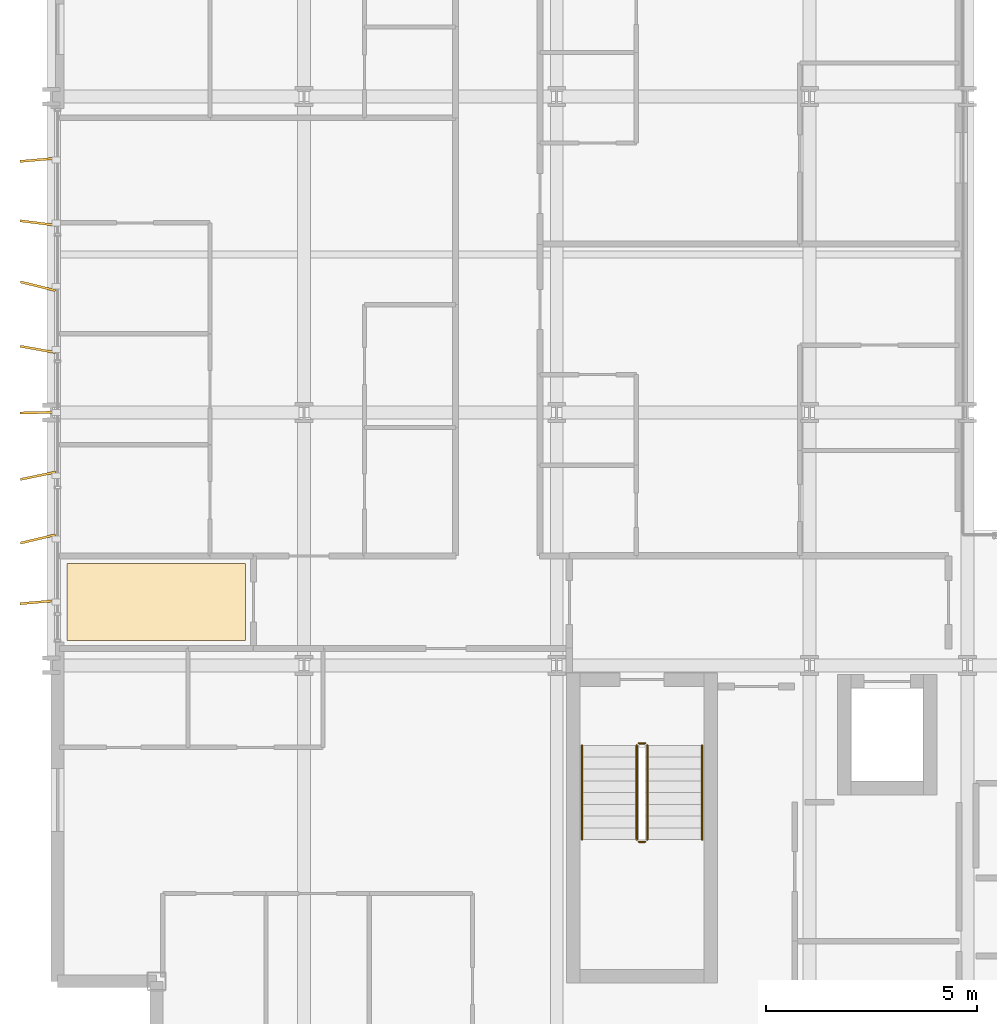
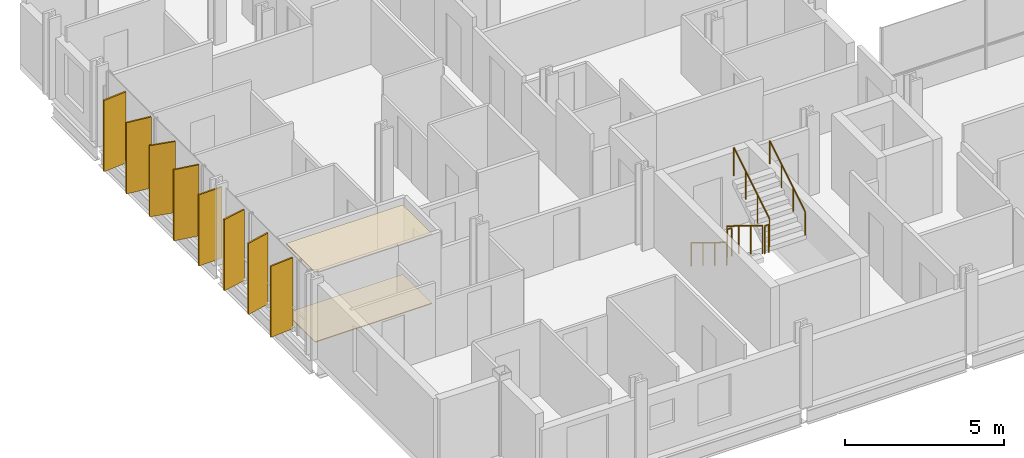
# One storey, part 36 of 39: 8 shading devices, 6 railings, 2 coverings.
"""IFC4 building model written with IfcOpenShell, lengths in metres."""

from ifc_helpers import new_model, si_unit, direction, frame, origin, origin_2d, place, context, subcontext, project, spatial, polyline, rectangle, circle, outline, extrude, material, layer, layer_set, type_object, element, save


model = new_model("IFC4")

# Units and contexts
model_context = context("Model", 3, precision=1e-05, world=origin(), true_north=direction((0.0, 1.0)))
body_context = subcontext(model_context, "Body", "Model", "MODEL_VIEW")
ifc_project = project(units=[si_unit("LENGTHUNIT", "METRE"), si_unit("AREAUNIT", "SQUARE_METRE"), si_unit("VOLUMEUNIT", "CUBIC_METRE"), si_unit("PLANEANGLEUNIT", "RADIAN"), si_unit("MASSUNIT", "GRAM", prefix="KILO")], contexts=[model_context])

# Site, building, storey
site_placement = place(None, origin())
site = spatial("IfcSite", under=ifc_project, at=site_placement, CompositionType="ELEMENT")
building_placement = place(site_placement, origin())
building = spatial("IfcBuilding", under=site, at=building_placement, Name="Brevholm Reach", CompositionType="ELEMENT")
storey_placement = place(building_placement, frame((0.0, 0.0, 40.39990234375)))
storey = spatial("IfcBuildingStorey", under=building, at=storey_placement, Name="L10", CompositionType="ELEMENT", Elevation=40.39990234375)

# Coverings
ifc_material_1 = material(Name="Moisture-Resistant Skimmed Gypsum Plasterboard Ceiling", Category="gypsum")
ifc_layer_1 = layer(ifc_material_1, 0.030029296875)
ifc_layer_set_1 = layer_set([ifc_layer_1], Name="Moisture-Resistant Skimmed Gypsum Plasterboard Ceiling")
covering_type_1 = type_object("IfcCoveringType", Name="COV-CLG-GYP", PredefinedType="CEILING", material=ifc_layer_set_1)
covering_1_placement = place(storey_placement, frame((0.0, 0.0, 2.670166015625)))
element("IfcCovering", 1, at=covering_1_placement, inside=storey, type_object=covering_type_1, Name="L10 Suspended Ceiling L10-34", PredefinedType="CEILING", context=body_context, shape_type="SweptSolid", body=[
    extrude(outline(polyline([(0.3798828125, 12.419921875), (4.615966796875, 12.419921875), (4.615966796875, 10.583984375), (0.3798828125, 10.583984375), (0.3798828125, 12.419921875)])), origin(), (0.0, 0.0, 1.0), 0.030029296875),
])
ifc_material_2 = material(Name="Honed Portland-Aggregate Resin Terrazzo Flooring", Category="concrete")
ifc_layer_2 = layer(ifc_material_2, 0.031982421875)
ifc_layer_set_2 = layer_set([ifc_layer_2], Name="Honed Portland-Aggregate Resin Terrazzo Flooring")
covering_type_2 = type_object("IfcCoveringType", Name="COV-FLR-TRZ", PredefinedType="FLOORING", material=ifc_layer_set_2)
covering_2_placement = place(storey_placement, origin())
element("IfcCovering", 2, at=covering_2_placement, inside=storey, type_object=covering_type_2, Name="L10 Floor Finish L10-34", PredefinedType="FLOORING", context=body_context, shape_type="SweptSolid", body=[
    extrude(outline(polyline([(0.3798828125, 12.419921875), (4.615966796875, 12.419921875), (4.615966796875, 10.583984375), (0.3798828125, 10.583984375), (0.3798828125, 12.419921875)])), origin(), (0.0, 0.0, 1.0), 0.031982421875),
])

# Railings
ifc_material_3 = material(Name="Brushed Stainless Steel EN 1.4401 Continuous Handrail", Category="steel")
railing_type_1 = type_object("IfcRailingType", Name="RAL-HND-950", PredefinedType="HANDRAIL", material=ifc_material_3)
railing_1_placement = place(storey_placement, frame((12.60009765625, 8.10009765625, 0.17236328125)))
element("IfcRailing", 3, at=railing_1_placement, inside=storey, type_object=railing_type_1, Name="L10 ST-1 stair handrail 1", PredefinedType="HANDRAIL", context=body_context, shape_type="SweptSolid", body=[
    extrude(circle(Radius=0.02392578125, at=origin_2d()), frame((0.0, 0.0, 0.8857421875), z_axis=(0.0, -0.85178898068, 0.523885037382), x_axis=(1.0, 0.0, 0.0)), (0.0, 0.0, 1.0), 2.629638671875),
    extrude(circle(Radius=0.02099609375, at=origin_2d()), origin(), (0.0, 0.0, 1.0), 0.86181640625),
    extrude(circle(Radius=0.02099609375, at=origin_2d()), frame((0.0, -0.74658203125, 0.459228515625)), (0.0, 0.0, 1.0), 0.86181640625),
    extrude(circle(Radius=0.02099609375, at=origin_2d()), frame((0.0, -1.493408203125, 0.91845703125)), (0.0, 0.0, 1.0), 0.86181640625),
    extrude(circle(Radius=0.02099609375, at=origin_2d()), frame((0.0, -2.239990234375, 1.377685546875)), (0.0, 0.0, 1.0), 0.86181640625),
])
railing_2_placement = place(storey_placement, frame((15.449951171875, 5.860107421875, 1.722412109375)))
element("IfcRailing", 4, at=railing_2_placement, inside=storey, type_object=railing_type_1, Name="L10 ST-1 stair handrail 2", PredefinedType="HANDRAIL", context=body_context, shape_type="SweptSolid", body=[
    extrude(circle(Radius=0.02392578125, at=origin_2d()), frame((0.0, 0.0, 0.8857421875), z_axis=(0.0, 0.85178898068, 0.523885037382), x_axis=(-1.0, 0.0, 0.0)), (0.0, 0.0, 1.0), 2.629638671875),
    extrude(circle(Radius=0.02099609375, at=origin_2d()), origin(), (0.0, 0.0, 1.0), 0.86181640625),
    extrude(circle(Radius=0.02099609375, at=origin_2d()), frame((0.0, 0.74658203125, 0.459228515625)), (0.0, 0.0, 1.0), 0.86181640625),
    extrude(circle(Radius=0.02099609375, at=origin_2d()), frame((0.0, 1.493408203125, 0.91845703125)), (0.0, 0.0, 1.0), 0.86181640625),
    extrude(circle(Radius=0.02099609375, at=origin_2d()), frame((0.0, 2.239990234375, 1.377685546875)), (0.0, 0.0, 1.0), 0.86181640625),
])
ifc_material_4 = material(Name="Painted Tubular Galvanised Steel S275JR Stair Guard", Category="steel")
railing_type_2 = type_object("IfcRailingType", Name="RAL-STG-1120", PredefinedType="BALUSTRADE", material=ifc_material_4)
railing_3_placement = place(storey_placement, frame((13.89990234375, 8.10009765625, 0.17236328125)))
element("IfcRailing", 5, at=railing_3_placement, inside=storey, type_object=railing_type_2, Name="L10 ST-1 stair guard 1", PredefinedType="BALUSTRADE", context=body_context, shape_type="SweptSolid", body=[
    extrude(circle(Radius=0.02392578125, at=origin_2d()), frame((0.0, 0.0, 1.076171875), z_axis=(0.0, -0.85178898068, 0.523885037382), x_axis=(1.0, 0.0, 0.0)), (0.0, 0.0, 1.0), 2.629638671875),
    extrude(circle(Radius=0.02099609375, at=origin_2d()), origin(), (0.0, 0.0, 1.0), 1.052001953125),
    extrude(circle(Radius=0.02099609375, at=origin_2d()), frame((0.0, -0.74658203125, 0.459228515625)), (0.0, 0.0, 1.0), 1.052001953125),
    extrude(circle(Radius=0.02099609375, at=origin_2d()), frame((0.0, -1.493408203125, 0.91845703125)), (0.0, 0.0, 1.0), 1.052001953125),
    extrude(circle(Radius=0.02099609375, at=origin_2d()), frame((0.0, -2.239990234375, 1.377685546875)), (0.0, 0.0, 1.0), 1.052001953125),
])
railing_4_placement = place(storey_placement, frame((13.949951171875, 5.81005859375, 1.550048828125)))
element("IfcRailing", 6, at=railing_4_placement, inside=storey, type_object=railing_type_2, Name="L10 ST-1 stair guard 2", PredefinedType="BALUSTRADE", context=body_context, shape_type="SweptSolid", body=[
    extrude(circle(Radius=0.02392578125, at=origin_2d()), frame((0.0, 0.0, 1.076171875), z_axis=(1.0, 0.0, 0.0), x_axis=(0.0, 1.0, 0.0)), (0.0, 0.0, 1.0), 0.150146484375),
    extrude(circle(Radius=0.02099609375, at=origin_2d()), origin(), (0.0, 0.0, 1.0), 1.052001953125),
    extrude(circle(Radius=0.02099609375, at=origin_2d()), frame((0.150146484375, 0.0, 0.0)), (0.0, 0.0, 1.0), 1.052001953125),
])
railing_5_placement = place(storey_placement, frame((14.14990234375, 5.860107421875, 1.722412109375)))
element("IfcRailing", 7, at=railing_5_placement, inside=storey, type_object=railing_type_2, Name="L10 ST-1 stair guard 3", PredefinedType="BALUSTRADE", context=body_context, shape_type="SweptSolid", body=[
    extrude(circle(Radius=0.02392578125, at=origin_2d()), frame((0.0, 0.0, 1.076171875), z_axis=(0.0, 0.85178898068, 0.523885037382), x_axis=(-1.0, 0.0, 0.0)), (0.0, 0.0, 1.0), 2.629638671875),
    extrude(circle(Radius=0.02099609375, at=origin_2d()), origin(), (0.0, 0.0, 1.0), 1.052001953125),
    extrude(circle(Radius=0.02099609375, at=origin_2d()), frame((0.0, 0.74658203125, 0.459228515625)), (0.0, 0.0, 1.0), 1.052001953125),
    extrude(circle(Radius=0.02099609375, at=origin_2d()), frame((0.0, 1.493408203125, 0.91845703125)), (0.0, 0.0, 1.0), 1.052001953125),
    extrude(circle(Radius=0.02099609375, at=origin_2d()), frame((0.0, 2.239990234375, 1.377685546875)), (0.0, 0.0, 1.0), 1.052001953125),
])
railing_6_placement = place(storey_placement, frame((13.949951171875, 8.14990234375, 0.0)))
element("IfcRailing", 8, at=railing_6_placement, inside=storey, type_object=railing_type_2, Name="L10 ST-1 stair guard 4", PredefinedType="BALUSTRADE", context=body_context, shape_type="SweptSolid", body=[
    extrude(circle(Radius=0.02392578125, at=origin_2d()), frame((0.0, 0.0, 1.076171875), z_axis=(1.0, 0.0, 0.0), x_axis=(0.0, 1.0, 0.0)), (0.0, 0.0, 1.0), 0.150146484375),
    extrude(circle(Radius=0.02099609375, at=origin_2d()), origin(), (0.0, 0.0, 1.0), 1.052001953125),
    extrude(circle(Radius=0.02099609375, at=origin_2d()), frame((0.150146484375, 0.0, 0.0)), (0.0, 0.0, 1.0), 1.052001953125),
])

# Shading devices
ifc_material_5 = material(Name="Perforated Champagne-Bronze Anodised Aluminium", Category="aluminium")
ifc_layer_3 = layer(ifc_material_5, 0.054931640625)
ifc_layer_set_3 = layer_set([ifc_layer_3], Name="Perforated Champagne-Bronze Anodised Aluminium")
shading_device_type = type_object("IfcShadingDeviceType", Name="SHD-FIN-850", PredefinedType="USERDEFINED", material=ifc_layer_set_3)
for number, where, z_axis, x_axis, name in (
    (9, (-0.31494140625, 11.5, 0.070068359375), (0.0, 0.0, 1.0), (-0.996328878957, -0.085608206127, 0.0), "L10 Perforated Solar Screen Fin 1"),
    (10, (-0.31494140625, 13.0, 0.070068359375), (0.0, 0.0, 1.0), (-0.973130669929, -0.230253554248, 0.0), "L10 Perforated Solar Screen Fin 2"),
    (11, (-0.31494140625, 14.5, 0.070068359375), (0.0, 0.0, 1.0), (-0.979261724941, -0.202599294337, 0.0), "L10 Perforated Solar Screen Fin 3"),
    (12, (-0.31494140625, 16.0, 0.070068359375), (0.0, 0.0, 1.0), (-0.999756666853, -0.022059172328, 0.0), "L10 Perforated Solar Screen Fin 4"),
    (13, (-0.31494140625, 17.5, 0.070068359375), (0.0, 0.0, 1.0), (-0.984463365186, 0.175590098262, 0.0), "L10 Perforated Solar Screen Fin 5"),
    (14, (-0.31494140625, 19.0, 0.070068359375), (0.0, 0.0, 1.0), (-0.970825393657, 0.239787520592, 0.0), "L10 Perforated Solar Screen Fin 6"),
    (15, (-0.31494140625, 20.5, 0.070068359375), (0.0, 0.0, 1.0), (-0.992140929286, 0.1251254428, 0.0), "L10 Perforated Solar Screen Fin 7"),
    (16, (-0.31494140625, 22.0, 0.070068359375), (0.0, 0.0, 1.0), (-0.996328878957, -0.085608206127, 0.0), "L10 Perforated Solar Screen Fin 8"),
):
    element("IfcShadingDevice", number, at=place(storey_placement, frame(where, z_axis=z_axis, x_axis=x_axis)), inside=storey, type_object=shading_device_type, Name=name, ObjectType="SCREEN", PredefinedType="USERDEFINED", context=body_context, shape_type="SweptSolid", body=[
        extrude(rectangle(XDim=0.85009765625, YDim=0.054931640625, at=origin_2d()), origin(), (0.0, 0.0, 1.0), 2.72998046875),
    ])

save(model, "model.ifc")
